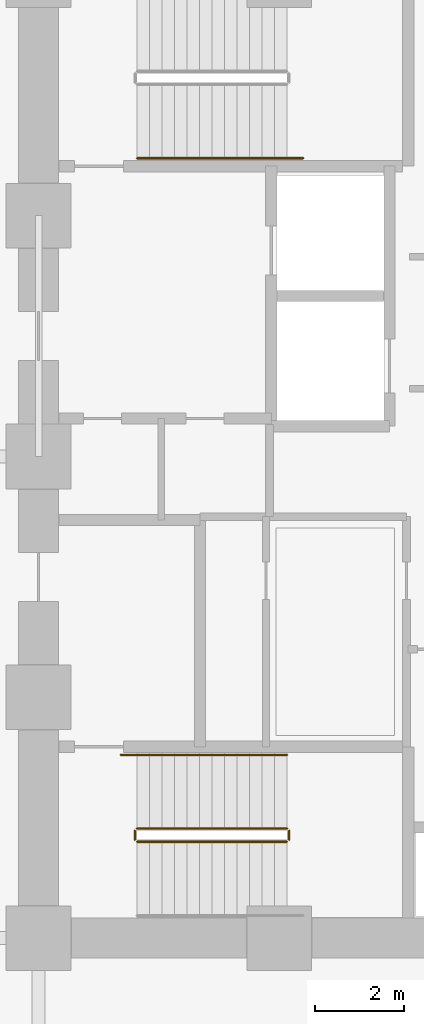
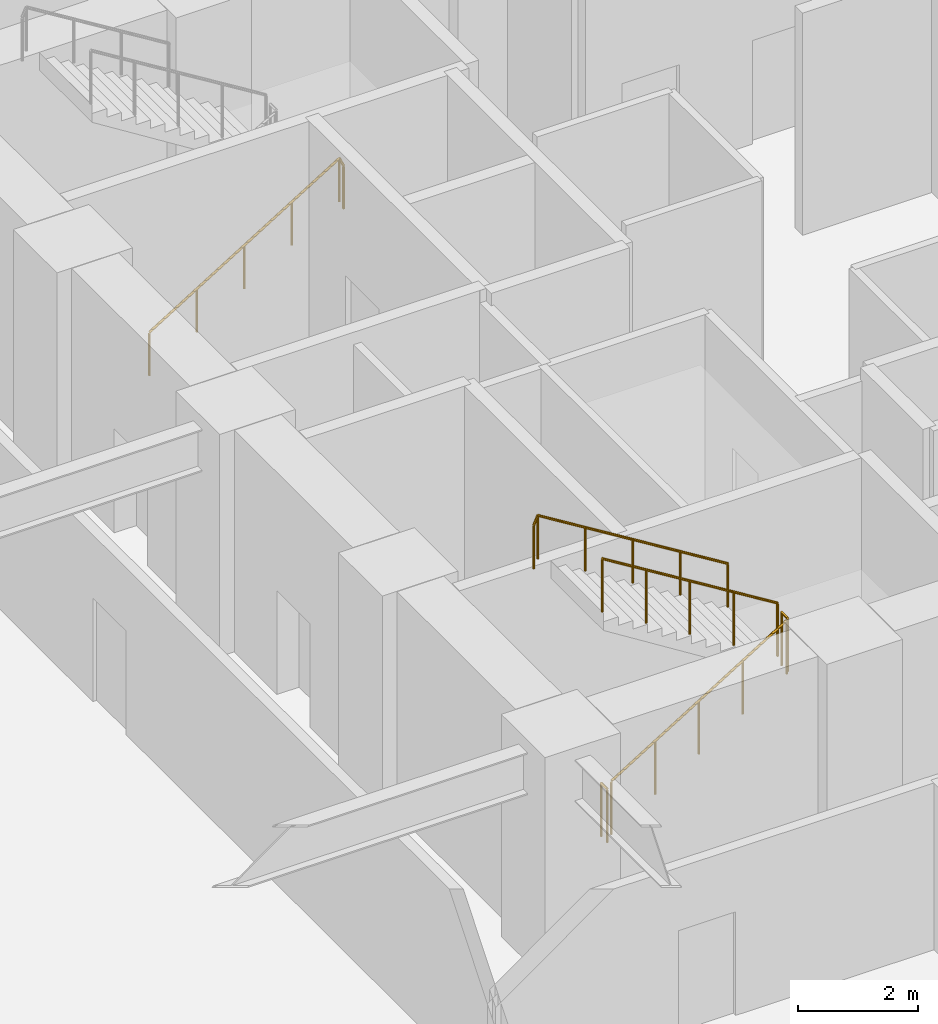
# One storey, part 27 of 31: 6 railings.
"""IFC4 building model written with IfcOpenShell, lengths in metres."""

from ifc_helpers import new_model, si_unit, direction, frame, origin, origin_2d, place, context, subcontext, project, spatial, circle, extrude, material, type_object, element, save


model = new_model("IFC4")

# Units and contexts
model_context = context("Model", 3, precision=1e-05, world=origin(), true_north=direction((0.0, 1.0)))
body_context = subcontext(model_context, "Body", "Model", "MODEL_VIEW")
ifc_project = project(units=[si_unit("LENGTHUNIT", "METRE"), si_unit("AREAUNIT", "SQUARE_METRE"), si_unit("VOLUMEUNIT", "CUBIC_METRE"), si_unit("PLANEANGLEUNIT", "RADIAN"), si_unit("MASSUNIT", "GRAM", prefix="KILO")], contexts=[model_context])

# Site, building, storey
site_placement = place(None, origin())
site = spatial("IfcSite", under=ifc_project, at=site_placement, CompositionType="ELEMENT")
building_placement = place(site_placement, origin())
building = spatial("IfcBuilding", under=site, at=building_placement, Name="Surkhivell Harbour Commons", CompositionType="ELEMENT")
storey_placement = place(building_placement, frame((0.0, 0.0, 4.5)))
storey = spatial("IfcBuildingStorey", under=building, at=storey_placement, Name="L01", CompositionType="ELEMENT", Elevation=4.5)

# Railings
ifc_material_1 = material(Name="Galvanised and painted steel S355 guard rail", Category="steel")
railing_type_1 = type_object("IfcRailingType", Name="RAL-ST-GRD1100", PredefinedType="GUARDRAIL", material=ifc_material_1)
railing_1_placement = place(storey_placement, frame((-8.590087890625, -8.639892578125, 0.173095703125)))
element("IfcRailing", 1, at=railing_1_placement, inside=storey, type_object=railing_type_1, Name="L01 ST3 stair guard 1", PredefinedType="GUARDRAIL", context=body_context, shape_type="SweptSolid", body=[
    extrude(circle(Radius=0.02392578125, at=origin_2d()), frame((0.0, 0.0, 1.076171875), z_axis=(0.850623216509, 0.0, 0.525775754039), x_axis=(0.0, 1.0, 0.0)), (0.0, 0.0, 1.0), 3.9501953125),
    extrude(circle(Radius=0.02099609375, at=origin_2d()), origin(), (0.0, 0.0, 1.0), 1.052001953125),
    extrude(circle(Radius=0.02099609375, at=origin_2d()), frame((0.840087890625, 0.0, 0.519287109375)), (0.0, 0.0, 1.0), 1.052001953125),
    extrude(circle(Radius=0.02099609375, at=origin_2d()), frame((1.68017578125, 0.0, 1.03857421875)), (0.0, 0.0, 1.0), 1.052001953125),
    extrude(circle(Radius=0.02099609375, at=origin_2d()), frame((2.52001953125, 0.0, 1.5576171875)), (0.0, 0.0, 1.0), 1.052001953125),
    extrude(circle(Radius=0.02099609375, at=origin_2d()), frame((3.360107421875, 0.0, 2.076904296875)), (0.0, 0.0, 1.0), 1.052001953125),
])
railing_2_placement = place(storey_placement, frame((-5.179931640625, -8.590087890625, 2.25)))
element("IfcRailing", 2, at=railing_2_placement, inside=storey, type_object=railing_type_1, Name="L01 ST3 stair guard 2", PredefinedType="GUARDRAIL", context=body_context, shape_type="SweptSolid", body=[
    extrude(circle(Radius=0.02392578125, at=origin_2d()), frame((0.0, 0.0, 1.076171875), z_axis=(0.0, 1.0, 0.0), x_axis=(-1.0, 0.0, 0.0)), (0.0, 0.0, 1.0), 0.2001953125),
    extrude(circle(Radius=0.02099609375, at=origin_2d()), origin(), (0.0, 0.0, 1.0), 1.052001953125),
    extrude(circle(Radius=0.02099609375, at=origin_2d()), frame((0.0, 0.2001953125, 0.0)), (0.0, 0.0, 1.0), 1.052001953125),
])
railing_3_placement = place(storey_placement, frame((-5.22998046875, -8.340087890625, 2.423095703125)))
element("IfcRailing", 3, at=railing_3_placement, inside=storey, type_object=railing_type_1, Name="L01 ST3 stair guard 3", PredefinedType="GUARDRAIL", context=body_context, shape_type="SweptSolid", body=[
    extrude(circle(Radius=0.02392578125, at=origin_2d()), frame((0.0, 0.0, 1.076171875), z_axis=(-0.850623216509, 0.0, 0.525775754039), x_axis=(0.0, -1.0, 0.0)), (0.0, 0.0, 1.0), 3.9501953125),
    extrude(circle(Radius=0.02099609375, at=origin_2d()), origin(), (0.0, 0.0, 1.0), 1.052001953125),
    extrude(circle(Radius=0.02099609375, at=origin_2d()), frame((-0.840087890625, 0.0, 0.519287109375)), (0.0, 0.0, 1.0), 1.052001953125),
    extrude(circle(Radius=0.02099609375, at=origin_2d()), frame((-1.68017578125, 0.0, 1.03857421875)), (0.0, 0.0, 1.0), 1.052001953125),
    extrude(circle(Radius=0.02099609375, at=origin_2d()), frame((-2.52001953125, 0.0, 1.5576171875)), (0.0, 0.0, 1.0), 1.052001953125),
    extrude(circle(Radius=0.02099609375, at=origin_2d()), frame((-3.360107421875, 0.0, 2.076904296875)), (0.0, 0.0, 1.0), 1.052001953125),
])
railing_4_placement = place(storey_placement, frame((-8.639892578125, -8.590087890625, 0.0)))
element("IfcRailing", 4, at=railing_4_placement, inside=storey, type_object=railing_type_1, Name="L01 ST3 stair guard 4", PredefinedType="GUARDRAIL", context=body_context, shape_type="SweptSolid", body=[
    extrude(circle(Radius=0.02392578125, at=origin_2d()), frame((0.0, 0.0, 1.076171875), z_axis=(0.0, 1.0, 0.0), x_axis=(-1.0, 0.0, 0.0)), (0.0, 0.0, 1.0), 0.2001953125),
    extrude(circle(Radius=0.02099609375, at=origin_2d()), origin(), (0.0, 0.0, 1.0), 1.052001953125),
    extrude(circle(Radius=0.02099609375, at=origin_2d()), frame((0.0, 0.2001953125, 0.0)), (0.0, 0.0, 1.0), 1.052001953125),
])
ifc_material_2 = material(Name="Brushed stainless steel S355 handrail", Category="steel")
railing_type_2 = type_object("IfcRailingType", Name="RAL-ST-HND900", PredefinedType="HANDRAIL", material=ifc_material_2)
railing_5_placement = place(storey_placement, frame((-8.590087890625, 6.68994140625, 0.173095703125)))
element("IfcRailing", 5, at=railing_5_placement, inside=storey, type_object=railing_type_2, Name="L01 ST1 stair handrail 1", PredefinedType="HANDRAIL", context=body_context, shape_type="SweptSolid", body=[
    extrude(circle(Radius=0.02392578125, at=origin_2d()), frame((0.0, 0.0, 0.8759765625), z_axis=(0.850622404505, 0.0, 0.525777067734), x_axis=(0.0, 1.0, 0.0)), (0.0, 0.0, 1.0), 4.279296875),
    extrude(circle(Radius=0.02392578125, at=origin_2d()), frame((3.64013671875, 0.0, 3.1259765625), z_axis=(0.418814502111, 0.0, -0.908071810388), x_axis=(0.0, 1.0, 0.0)), (0.0, 0.0, 1.0), 0.190673828125),
    extrude(circle(Radius=0.02099609375, at=origin_2d()), origin(), (0.0, 0.0, 1.0), 0.851806640625),
    extrude(circle(Radius=0.02099609375, at=origin_2d()), frame((0.91015625, 0.0, 0.5625)), (0.0, 0.0, 1.0), 0.851806640625),
    extrude(circle(Radius=0.02099609375, at=origin_2d()), frame((1.820068359375, 0.0, 1.125)), (0.0, 0.0, 1.0), 0.851806640625),
    extrude(circle(Radius=0.02099609375, at=origin_2d()), frame((2.72998046875, 0.0, 1.6875)), (0.0, 0.0, 1.0), 0.851806640625),
    extrude(circle(Radius=0.02099609375, at=origin_2d()), frame((3.64013671875, 0.0, 2.25)), (0.0, 0.0, 1.0), 0.851806640625),
    extrude(circle(Radius=0.02099609375, at=origin_2d()), frame((3.719970703125, 0.0, 2.076904296875)), (0.0, 0.0, 1.0), 0.851806640625),
])
railing_6_placement = place(storey_placement, frame((-5.22998046875, -6.68994140625, 2.423095703125)))
element("IfcRailing", 6, at=railing_6_placement, inside=storey, type_object=railing_type_2, Name="L01 ST3 stair handrail 2", PredefinedType="HANDRAIL", context=body_context, shape_type="SweptSolid", body=[
    extrude(circle(Radius=0.02392578125, at=origin_2d()), frame((0.0, 0.0, 0.8759765625), z_axis=(-0.850622404505, 0.0, 0.525777067734), x_axis=(0.0, -1.0, 0.0)), (0.0, 0.0, 1.0), 4.279296875),
    extrude(circle(Radius=0.02392578125, at=origin_2d()), frame((-3.64013671875, 0.0, 3.1259765625), z_axis=(-0.418814502111, 0.0, -0.908071810388), x_axis=(0.0, -1.0, 0.0)), (0.0, 0.0, 1.0), 0.190673828125),
    extrude(circle(Radius=0.02099609375, at=origin_2d()), origin(), (0.0, 0.0, 1.0), 0.851806640625),
    extrude(circle(Radius=0.02099609375, at=origin_2d()), frame((-0.91015625, 0.0, 0.5625)), (0.0, 0.0, 1.0), 0.851806640625),
    extrude(circle(Radius=0.02099609375, at=origin_2d()), frame((-1.820068359375, 0.0, 1.125)), (0.0, 0.0, 1.0), 0.851806640625),
    extrude(circle(Radius=0.02099609375, at=origin_2d()), frame((-2.72998046875, 0.0, 1.6875)), (0.0, 0.0, 1.0), 0.851806640625),
    extrude(circle(Radius=0.02099609375, at=origin_2d()), frame((-3.64013671875, 0.0, 2.25)), (0.0, 0.0, 1.0), 0.851806640625),
    extrude(circle(Radius=0.02099609375, at=origin_2d()), frame((-3.719970703125, 0.0, 2.076904296875)), (0.0, 0.0, 1.0), 0.851806640625),
])

save(model, "model.ifc")
